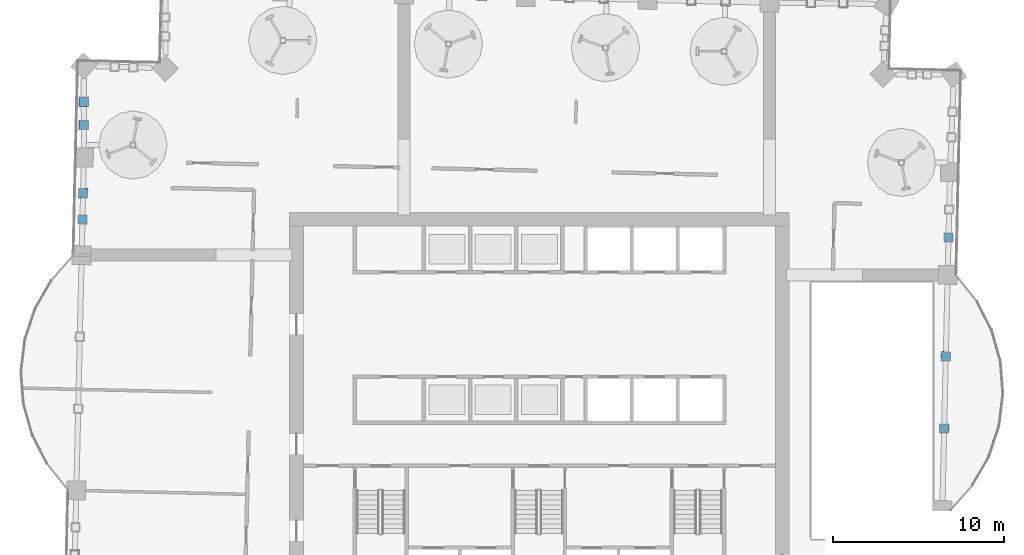
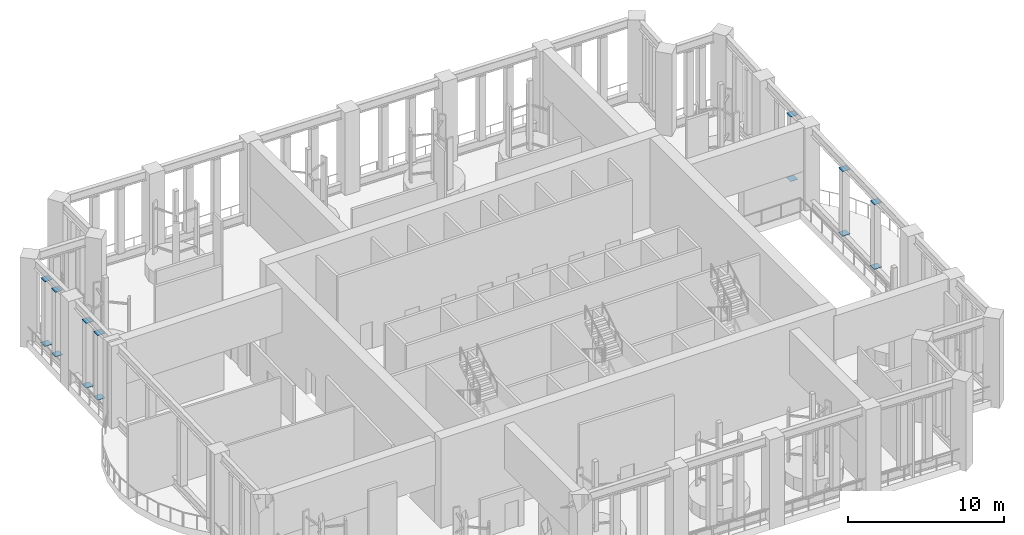
# One storey, part 20 of 33: 14 discrete accessories.
"""IFC4 building model written with IfcOpenShell, lengths in metres."""

from ifc_helpers import new_model, si_unit, direction, frame, origin, origin_2d, place, context, subcontext, project, spatial, rectangle, extrude, material, layer, layer_set, type_object, element, save


model = new_model("IFC4")

# Units and contexts
model_context = context("Model", 3, precision=1e-05, world=origin(), true_north=direction((0.0, 1.0)))
body_context = subcontext(model_context, "Body", "Model", "MODEL_VIEW")
ifc_project = project(units=[si_unit("LENGTHUNIT", "METRE"), si_unit("AREAUNIT", "SQUARE_METRE"), si_unit("VOLUMEUNIT", "CUBIC_METRE"), si_unit("PLANEANGLEUNIT", "RADIAN"), si_unit("MASSUNIT", "GRAM", prefix="KILO")], contexts=[model_context])

# Site, building, storey
site_placement = place(None, origin())
site = spatial("IfcSite", under=ifc_project, at=site_placement, CompositionType="ELEMENT")
building_placement = place(site_placement, origin())
building = spatial("IfcBuilding", under=site, at=building_placement, Name="Mangrove Gate Tower", CompositionType="ELEMENT")
storey_placement = place(building_placement, frame((0.0, 0.0, 219.5)))
storey = spatial("IfcBuildingStorey", under=building, at=storey_placement, Name="L56", CompositionType="ELEMENT", Elevation=219.5)

# Discrete accessories
ifc_material = material(Name="Steel S355J2H", Category="steel")
ifc_layer = layer(ifc_material, 0.02001953125)
ifc_layer_set = layer_set([ifc_layer], Name="Belt truss end plate 540x540x20")
discrete_accessory_type = type_object("IfcDiscreteAccessoryType", Name="Belt truss end plate 540x540x20", PredefinedType="ANCHORPLATE", material=ifc_layer_set)
for number, where, z_axis, x_axis, name in (
    (1, (23.667236328125, -1.032470703125, 0.68994140625), (0.0, 0.0, 1.0), (0.022688345603, 0.999742586356, 0.0), "Belt truss end plate L56 14-1 bottom"),
    (2, (23.667236328125, -1.032470703125, 5.739990234375), (0.0, 0.0, 1.0), (0.022688345603, 0.999742586356, 0.0), "Belt truss end plate L56 14-1 top"),
    (3, (23.762939453125, 3.18359375, 0.68994140625), (0.0, 0.0, 1.0), (0.022688345603, 0.999742586356, 0.0), "Belt truss end plate L56 14-2 bottom"),
    (4, (23.762939453125, 3.18359375, 5.739990234375), (0.0, 0.0, 1.0), (0.022688345603, 0.999742586356, 0.0), "Belt truss end plate L56 14-2 top"),
    (5, (23.9208984375, 10.13623046875, 0.68994140625), (0.0, 0.0, 1.0), (0.022789461282, 0.999740286502, 0.0), "Belt truss end plate L56 15-1 bottom"),
    (6, (23.9208984375, 10.13623046875, 5.739990234375), (0.0, 0.0, 1.0), (0.022789461282, 0.999740286502, 0.0), "Belt truss end plate L56 15-1 top"),
    (7, (-26.63427734375, 18.076416015625, 0.68994140625), (0.0, 0.0, 1.0), (0.001294545251, -0.999999162076, 0.0), "Belt truss end plate L56 27-1 bottom"),
    (8, (-26.63427734375, 18.076416015625, 5.739990234375), (0.0, 0.0, 1.0), (0.001294545251, -0.999999162076, 0.0), "Belt truss end plate L56 27-1 top"),
    (9, (-26.632568359375, 16.717529296875, 0.68994140625), (0.0, 0.0, 1.0), (0.001294545251, -0.999999162076, 0.0), "Belt truss end plate L56 27-2 bottom"),
    (10, (-26.632568359375, 16.717529296875, 5.739990234375), (0.0, 0.0, 1.0), (0.001294545251, -0.999999162076, 0.0), "Belt truss end plate L56 27-2 top"),
    (11, (-26.67724609375, 12.721923828125, 0.68994140625), (0.0, 0.0, 1.0), (-0.022586200211, -0.999744899242, 0.0), "Belt truss end plate L56 28-1 bottom"),
    (12, (-26.67724609375, 12.721923828125, 5.739990234375), (0.0, 0.0, 1.0), (-0.022586200211, -0.999744899242, 0.0), "Belt truss end plate L56 28-1 top"),
    (13, (-26.7119140625, 11.18505859375, 0.68994140625), (0.0, 0.0, 1.0), (-0.022586200211, -0.999744899242, 0.0), "Belt truss end plate L56 28-2 bottom"),
    (14, (-26.7119140625, 11.18505859375, 5.739990234375), (0.0, 0.0, 1.0), (-0.022586200211, -0.999744899242, 0.0), "Belt truss end plate L56 28-2 top"),
):
    element("IfcDiscreteAccessory", number, at=place(storey_placement, frame(where, z_axis=z_axis, x_axis=x_axis)), inside=storey, type_object=discrete_accessory_type, Name=name, PredefinedType="ANCHORPLATE", context=body_context, shape_type="SweptSolid", body=[
        extrude(rectangle(XDim=0.5400390625, YDim=0.5400390625, at=origin_2d()), origin(), (0.0, 0.0, 1.0), 0.02001953125),
    ])

save(model, "model.ifc")
